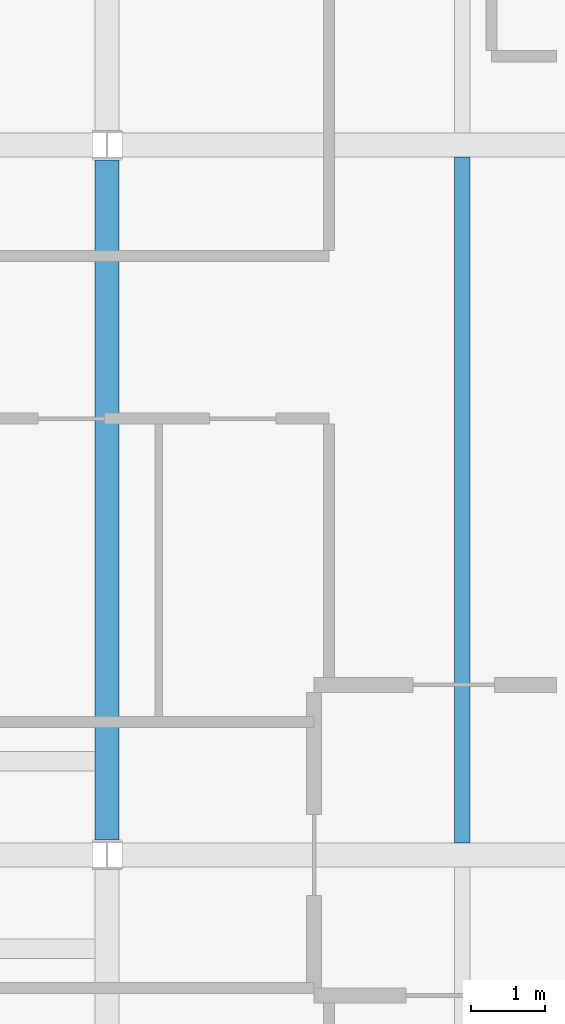
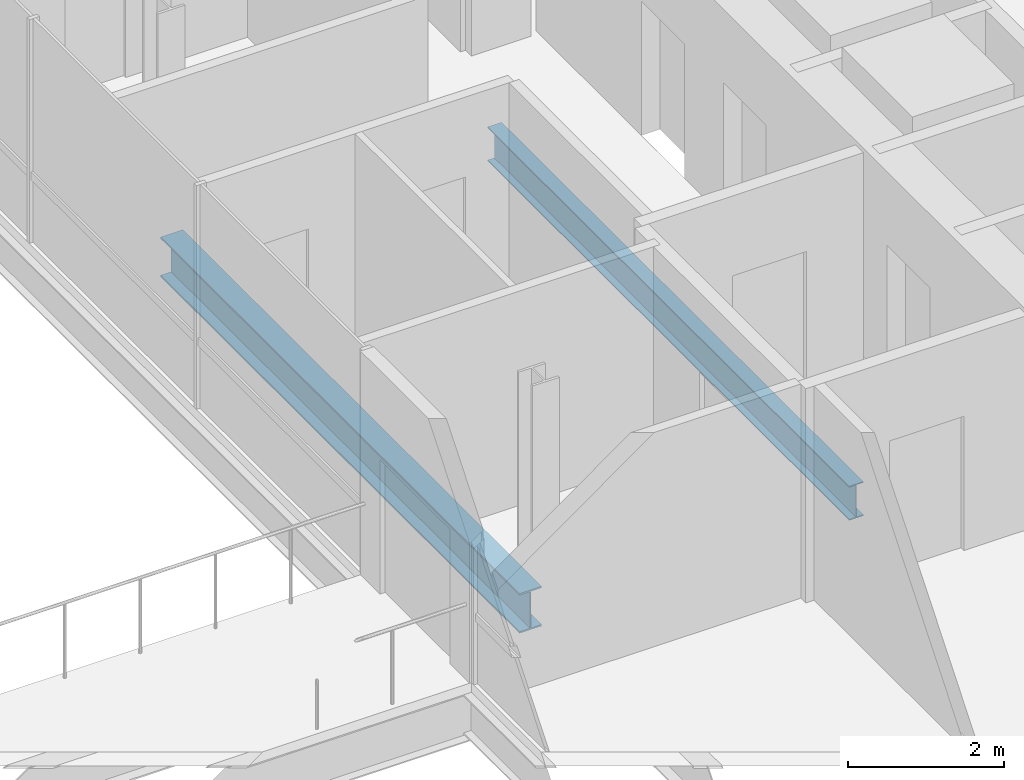
# One storey, part 6 of 16: 2 beams.
"""IFC4 building model written with IfcOpenShell, lengths in metres."""

from ifc_helpers import new_model, si_unit, direction, frame, origin, origin_2d, place, context, subcontext, project, spatial, i_section, extrude, material, material_profile, profile_set, type_object, element, save


model = new_model("IFC4")

# Units and contexts
model_context = context("Model", 3, precision=1e-05, world=origin(), true_north=direction((0.0, 1.0)))
body_context = subcontext(model_context, "Body", "Model", "MODEL_VIEW")
ifc_project = project(units=[si_unit("LENGTHUNIT", "METRE"), si_unit("AREAUNIT", "SQUARE_METRE"), si_unit("VOLUMEUNIT", "CUBIC_METRE"), si_unit("PLANEANGLEUNIT", "RADIAN"), si_unit("MASSUNIT", "GRAM", prefix="KILO")], contexts=[model_context])

# Site, building, storey
site_placement = place(None, origin())
site = spatial("IfcSite", under=ifc_project, at=site_placement, CompositionType="ELEMENT")
building_placement = place(site_placement, origin())
building = spatial("IfcBuilding", under=site, at=building_placement, Name="Cobrizo Arcos Hotel Tower", CompositionType="ELEMENT")
storey_placement = place(building_placement, frame((0.0, 0.0, 120.5)))
storey = spatial("IfcBuildingStorey", under=building, at=storey_placement, Name="L30", CompositionType="ELEMENT", Elevation=120.5)

# Beams
ifc_material = material(Name="Steel ASTM A992 Grade 50", Category="steel")
ifc_material_profile_1 = material_profile(ifc_material, i_section(OverallWidth=0.209228515625, OverallDepth=0.533447265625, WebThickness=0.01025390625, FlangeThickness=0.015625, at=origin_2d()), Name="W21X62")
ifc_profile_set_1 = profile_set([ifc_material_profile_1], Name="Steel ASTM A992 Grade 50")
beam_type_1 = type_object("IfcBeamType", Name="W21X62 joist", PredefinedType="JOIST", material=ifc_profile_set_1)
beam_1_placement = place(storey_placement, frame((14.39990234375, 0.163818359375, -0.416748046875), z_axis=(0.0, 1.0, 0.0), x_axis=(-1.0, 0.0, 0.0)))
element("IfcBeam", 1, at=beam_1_placement, inside=storey, type_object=beam_type_1, Name="Floor joist J1, L30, no. 009", PredefinedType="JOIST", context=body_context, shape_type="SweptSolid", body=[
    extrude(i_section(OverallWidth=0.209228515625, OverallDepth=0.533447265625, WebThickness=0.01025390625, FlangeThickness=0.015625, at=origin_2d()), origin(), (0.0, 0.0, 1.0), 9.272216796875),
])
ifc_material_profile_2 = material_profile(ifc_material, i_section(OverallWidth=0.32763671875, OverallDepth=0.622314453125, WebThickness=0.015380859375, FlangeThickness=0.0244140625, at=origin_2d()), Name="W24X131")
ifc_profile_set_2 = profile_set([ifc_material_profile_2], Name="Steel ASTM A992 Grade 50")
beam_type_2 = type_object("IfcBeamType", Name="W24X131 girder", PredefinedType="BEAM", material=ifc_profile_set_2)
beam_2_placement = place(storey_placement, frame((9.60009765625, 0.199462890625, -0.461181640625), z_axis=(0.0, 1.0, 0.0), x_axis=(-1.0, 0.0, 0.0)))
element("IfcBeam", 2, at=beam_2_placement, inside=storey, type_object=beam_type_2, Name="Floor girder G1, L30, no. 018", PredefinedType="BEAM", context=body_context, shape_type="SweptSolid", body=[
    extrude(i_section(OverallWidth=0.32763671875, OverallDepth=0.622314453125, WebThickness=0.015380859375, FlangeThickness=0.0244140625, at=origin_2d()), origin(), (0.0, 0.0, 1.0), 9.201171875),
])

save(model, "model.ifc")
